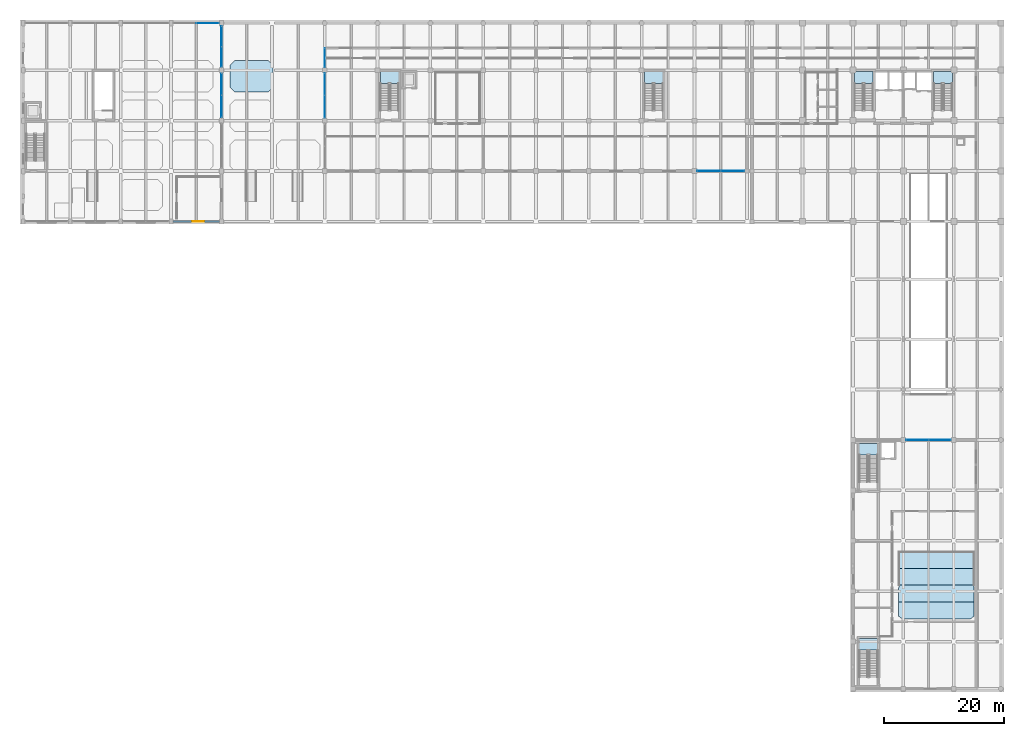
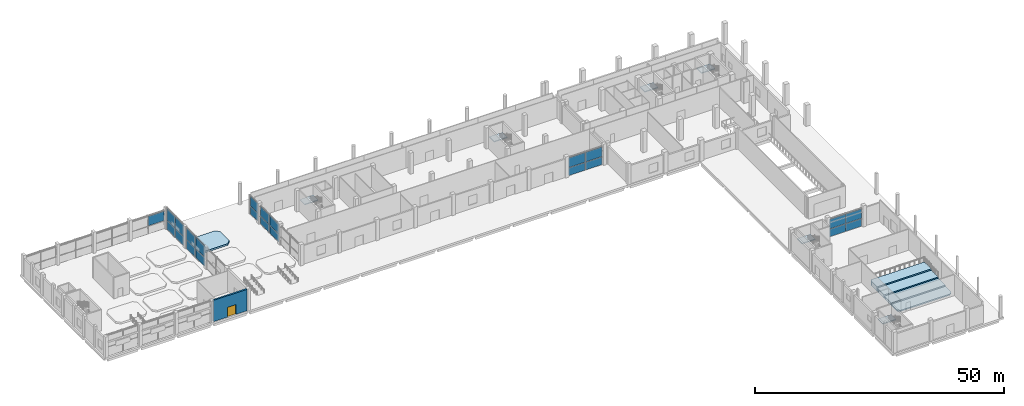
# One storey, part 19 of 34: 23 plates, 11 slabs, 1 door, 1 wall, 1 opening, 13 elements without a shape of their own.
"""IFC4 building model written with IfcOpenShell, lengths in metres."""

from ifc_helpers import new_model, si_unit, direction, frame, frame_2d, origin, origin_2d, place, context, subcontext, project, spatial, polyline, rectangle, outline, extrude, material, layer, layer_set, type_object, element, fill, aggregate, save


model = new_model("IFC4")

# Units and contexts
model_context = context("Model", 3, precision=1e-05, world=origin(), true_north=direction((0.0, 1.0)))
body_context = subcontext(model_context, "Body", "Model", "MODEL_VIEW")
ifc_project = project(units=[si_unit("LENGTHUNIT", "METRE"), si_unit("AREAUNIT", "SQUARE_METRE"), si_unit("VOLUMEUNIT", "CUBIC_METRE"), si_unit("PLANEANGLEUNIT", "RADIAN"), si_unit("MASSUNIT", "GRAM", prefix="KILO")], contexts=[model_context])

# Site, building, storey
site_placement = place(None, origin())
site = spatial("IfcSite", under=ifc_project, at=site_placement, CompositionType="ELEMENT")
building_placement = place(site_placement, origin())
building = spatial("IfcBuilding", under=site, at=building_placement, Name="Brinegate Botanical Conservatory", CompositionType="ELEMENT")
storey_placement = place(building_placement, origin())
storey = spatial("IfcBuildingStorey", under=building, at=storey_placement, Name="L01", CompositionType="ELEMENT", Elevation=0.0)

# Curtain wall, plates
ifc_material_1 = material(Name="Thermally broken anodised aluminium AW-6063-T6", Category="aluminium")
curtain_wall_type_1 = type_object("IfcCurtainWallType", Name="CW_CW-V2", PredefinedType="USERDEFINED", material=ifc_material_1)
curtain_wall_1_placement = place(storey_placement, origin())
curtain_wall_1 = element("IfcCurtainWall", 1, at=curtain_wall_1_placement, inside=storey, type_object=curtain_wall_type_1, Name="Auditorium north foyer curtain bay L01", ObjectType="FACTORY CURTAIN WALL", PredefinedType="USERDEFINED")
ifc_material_2 = material(Name="Double-silver Low-E laminated safety glass", Category="glass")
ifc_layer_1 = layer(ifc_material_2, 0.028076171875, Name="Double-silver Low-E laminated safety glass", Category="glass")
ifc_layer_set_1 = layer_set([ifc_layer_1], Name="Double-silver Low-E laminated safety glass")
plate_type_1 = type_object("IfcPlateType", Name="Plate_PN-28", PredefinedType="CURTAIN_PANEL", material=ifc_layer_set_1)
plate_1_placement = place(storey_placement, frame((149.534912109375, 42.0, 0.06005859375), z_axis=(0.0, 0.0, 1.0), x_axis=(1.0, 0.0, 0.0)))
plate_1 = element("IfcPlate", 2, at=plate_1_placement, type_object=plate_type_1, Name="CW-V2 panel 1.1", PredefinedType="CURTAIN_PANEL", context=body_context, shape_type="SweptSolid", body=[
    extrude(rectangle(XDim=3.669921875, YDim=0.028076171875, at=origin_2d()), origin(), (0.0, 0.0, 1.0), 1.903076171875),
])
plate_2_placement = place(storey_placement, frame((149.534912109375, 42.0, 2.02294921875), z_axis=(0.0, 0.0, 1.0), x_axis=(1.0, 0.0, 0.0)))
plate_2 = element("IfcPlate", 3, at=plate_2_placement, type_object=plate_type_1, Name="CW-V2 panel 1.2", PredefinedType="CURTAIN_PANEL", context=body_context, shape_type="SweptSolid", body=[
    extrude(rectangle(XDim=3.669921875, YDim=0.028076171875, at=origin_2d()), origin(), (0.0, 0.0, 1.0), 2.346923828125),
])
plate_3_placement = place(storey_placement, frame((153.264892578125, 42.0, 0.06005859375), z_axis=(0.0, 0.0, 1.0), x_axis=(1.0, 0.0, 0.0)))
plate_3 = element("IfcPlate", 4, at=plate_3_placement, type_object=plate_type_1, Name="CW-V2 panel 2.1", PredefinedType="CURTAIN_PANEL", context=body_context, shape_type="SweptSolid", body=[
    extrude(rectangle(XDim=3.669921875, YDim=0.028076171875, at=origin_2d()), origin(), (0.0, 0.0, 1.0), 1.903076171875),
])
plate_4_placement = place(storey_placement, frame((153.264892578125, 42.0, 2.02294921875), z_axis=(0.0, 0.0, 1.0), x_axis=(1.0, 0.0, 0.0)))
plate_4 = element("IfcPlate", 5, at=plate_4_placement, type_object=plate_type_1, Name="CW-V2 panel 2.2", PredefinedType="CURTAIN_PANEL", context=body_context, shape_type="SweptSolid", body=[
    extrude(rectangle(XDim=3.669921875, YDim=0.028076171875, at=origin_2d()), origin(), (0.0, 0.0, 1.0), 2.346923828125),
])
aggregate(curtain_wall_1, [plate_1, plate_2, plate_3, plate_4])

curtain_wall_type_2 = type_object("IfcCurtainWallType", Name="CW_CW-V3", PredefinedType="USERDEFINED", material=ifc_material_1)
curtain_wall_2_placement = place(storey_placement, origin())
curtain_wall_2 = element("IfcCurtainWall", 6, at=curtain_wall_2_placement, inside=storey, type_object=curtain_wall_type_2, Name="Visitor south court curtain wall L01.8", ObjectType="FACTORY CURTAIN WALL", PredefinedType="USERDEFINED")
plate_5_placement = place(storey_placement, frame((118.763671875, 86.800048828125, 0.06494140625), z_axis=(0.0, 0.0, 1.0), x_axis=(-1.0, 0.0, 0.0)))
plate_5 = element("IfcPlate", 7, at=plate_5_placement, type_object=plate_type_1, Name="CW-V3 panel 1.1", PredefinedType="CURTAIN_PANEL", context=body_context, shape_type="SweptSolid", body=[
    extrude(rectangle(XDim=3.862548828125, YDim=0.028076171875, at=origin_2d()), origin(), (0.0, 0.0, 1.0), 1.9404296875),
])
plate_6_placement = place(storey_placement, frame((118.763671875, 86.800048828125, 2.070556640625), z_axis=(0.0, 0.0, 1.0), x_axis=(-1.0, 0.0, 0.0)))
plate_6 = element("IfcPlate", 8, at=plate_6_placement, type_object=plate_type_1, Name="CW-V3 panel 1.2", PredefinedType="CURTAIN_PANEL", context=body_context, shape_type="SweptSolid", body=[
    extrude(rectangle(XDim=3.862548828125, YDim=0.028076171875, at=origin_2d()), origin(), (0.0, 0.0, 1.0), 2.39453125),
])
plate_7_placement = place(storey_placement, frame((114.836181640625, 86.800048828125, 0.06494140625), z_axis=(0.0, 0.0, 1.0), x_axis=(-1.0, 0.0, 0.0)))
plate_7 = element("IfcPlate", 9, at=plate_7_placement, type_object=plate_type_1, Name="CW-V3 panel 2.1", PredefinedType="CURTAIN_PANEL", context=body_context, shape_type="SweptSolid", body=[
    extrude(rectangle(XDim=3.862548828125, YDim=0.028076171875, at=origin_2d()), origin(), (0.0, 0.0, 1.0), 1.9404296875),
])
plate_8_placement = place(storey_placement, frame((114.836181640625, 86.800048828125, 2.070556640625), z_axis=(0.0, 0.0, 1.0), x_axis=(-1.0, 0.0, 0.0)))
plate_8 = element("IfcPlate", 10, at=plate_8_placement, type_object=plate_type_1, Name="CW-V3 panel 2.2", PredefinedType="CURTAIN_PANEL", context=body_context, shape_type="SweptSolid", body=[
    extrude(rectangle(XDim=3.862548828125, YDim=0.028076171875, at=origin_2d()), origin(), (0.0, 0.0, 1.0), 2.39453125),
])
aggregate(curtain_wall_2, [plate_5, plate_6, plate_7, plate_8])

curtain_wall_3_placement = place(storey_placement, origin())
curtain_wall_3 = element("IfcCurtainWall", 11, at=curtain_wall_3_placement, inside=storey, type_object=curtain_wall_type_2, Name="Visitor west forecourt curtain wall L01.2", ObjectType="FACTORY CURTAIN WALL", PredefinedType="USERDEFINED")
plate_9_placement = place(storey_placement, frame((50.800048828125, 97.5361328125, 0.06494140625), z_axis=(0.0, 0.0, 1.0), x_axis=(0.0, 1.0, 0.0)))
plate_9 = element("IfcPlate", 12, at=plate_9_placement, type_object=plate_type_1, Name="CW-V3 panel 1.1", PredefinedType="CURTAIN_PANEL", context=body_context, shape_type="SweptSolid", body=[
    extrude(rectangle(XDim=3.66259765625, YDim=0.028076171875, at=origin_2d()), origin(), (0.0, 0.0, 1.0), 1.9404296875),
])
plate_10_placement = place(storey_placement, frame((50.800048828125, 97.5361328125, 2.070556640625), z_axis=(0.0, 0.0, 1.0), x_axis=(0.0, 1.0, 0.0)))
plate_10 = element("IfcPlate", 13, at=plate_10_placement, type_object=plate_type_1, Name="CW-V3 panel 1.2", PredefinedType="CURTAIN_PANEL", context=body_context, shape_type="SweptSolid", body=[
    extrude(rectangle(XDim=3.66259765625, YDim=0.028076171875, at=origin_2d()), origin(), (0.0, 0.0, 1.0), 2.39453125),
])
plate_11_placement = place(storey_placement, frame((50.800048828125, 101.263671875, 0.06494140625), z_axis=(0.0, 0.0, 1.0), x_axis=(0.0, 1.0, 0.0)))
plate_11 = element("IfcPlate", 14, at=plate_11_placement, type_object=plate_type_1, Name="CW-V3 panel 2.1", PredefinedType="CURTAIN_PANEL", context=body_context, shape_type="SweptSolid", body=[
    extrude(rectangle(XDim=3.66259765625, YDim=0.028076171875, at=origin_2d()), origin(), (0.0, 0.0, 1.0), 1.9404296875),
])
plate_12_placement = place(storey_placement, frame((50.800048828125, 101.263671875, 2.070556640625), z_axis=(0.0, 0.0, 1.0), x_axis=(0.0, 1.0, 0.0)))
plate_12 = element("IfcPlate", 15, at=plate_12_placement, type_object=plate_type_1, Name="CW-V3 panel 2.2", PredefinedType="CURTAIN_PANEL", context=body_context, shape_type="SweptSolid", body=[
    extrude(rectangle(XDim=3.66259765625, YDim=0.028076171875, at=origin_2d()), origin(), (0.0, 0.0, 1.0), 2.39453125),
])
aggregate(curtain_wall_3, [plate_9, plate_10, plate_11, plate_12])

curtain_wall_4_placement = place(storey_placement, origin())
curtain_wall_4 = element("IfcCurtainWall", 16, at=curtain_wall_4_placement, inside=storey, type_object=curtain_wall_type_2, Name="Visitor west forecourt curtain wall L01.3", ObjectType="FACTORY CURTAIN WALL", PredefinedType="USERDEFINED")
plate_13_placement = place(storey_placement, frame((50.800048828125, 105.669921875, 0.06494140625), z_axis=(0.0, 0.0, 1.0), x_axis=(0.0, 1.0, 0.0)))
plate_13 = element("IfcPlate", 17, at=plate_13_placement, type_object=plate_type_1, Name="CW-V3 panel 1.1", PredefinedType="CURTAIN_PANEL", context=body_context, shape_type="SweptSolid", body=[
    extrude(rectangle(XDim=3.1298828125, YDim=0.028076171875, at=origin_2d()), origin(), (0.0, 0.0, 1.0), 1.9404296875),
])
plate_14_placement = place(storey_placement, frame((50.800048828125, 105.669921875, 2.070556640625), z_axis=(0.0, 0.0, 1.0), x_axis=(0.0, 1.0, 0.0)))
plate_14 = element("IfcPlate", 18, at=plate_14_placement, type_object=plate_type_1, Name="CW-V3 panel 1.2", PredefinedType="CURTAIN_PANEL", context=body_context, shape_type="SweptSolid", body=[
    extrude(rectangle(XDim=3.1298828125, YDim=0.028076171875, at=origin_2d()), origin(), (0.0, 0.0, 1.0), 2.39453125),
])
aggregate(curtain_wall_4, [plate_13, plate_14])

# Curtain wall, plate
curtain_wall_type_3 = type_object("IfcCurtainWallType", Name="CW_CW-V1", PredefinedType="USERDEFINED", material=ifc_material_1)
curtain_wall_5_placement = place(storey_placement, origin())
curtain_wall_5 = element("IfcCurtainWall", 19, at=curtain_wall_5_placement, inside=storey, type_object=curtain_wall_type_3, Name="Conservatory north curtain wall L01.4", ObjectType="FACTORY CURTAIN WALL", PredefinedType="USERDEFINED")
ifc_layer_2 = layer(ifc_material_2, 0.031982421875, Name="Double-silver Low-E laminated safety glass", Category="glass")
ifc_layer_set_2 = layer_set([ifc_layer_2], Name="Double-silver Low-E laminated safety glass")
plate_type_2 = type_object("IfcPlateType", Name="Plate_PN-32", PredefinedType="CURTAIN_PANEL", material=ifc_layer_set_2)
plate_15_placement = place(storey_placement, frame((31.313720703125, 111.449951171875, 2.025390625), z_axis=(0.0, 0.0, 1.0), x_axis=(1.0, 0.0, 0.0)))
plate_15 = element("IfcPlate", 20, at=plate_15_placement, type_object=plate_type_2, Name="CW-V1 panel 2.2", PredefinedType="CURTAIN_PANEL", context=body_context, shape_type="SweptSolid", body=[
    extrude(rectangle(XDim=3.762451171875, YDim=0.031982421875, at=origin_2d()), origin(), (0.0, 0.0, 1.0), 2.339599609375),
])
aggregate(curtain_wall_5, [plate_15])

# Curtain wall, plates
curtain_wall_6_placement = place(storey_placement, origin())
curtain_wall_6 = element("IfcCurtainWall", 21, at=curtain_wall_6_placement, inside=storey, type_object=curtain_wall_type_3, Name="Conservatory east curtain wall L01.3", ObjectType="FACTORY CURTAIN WALL", PredefinedType="USERDEFINED")
plate_16_placement = place(storey_placement, frame((33.60009765625, 101.23876953125, 0.06494140625), z_axis=(0.0, 0.0, 1.0), x_axis=(0.0, -1.0, 0.0)))
plate_16 = element("IfcPlate", 22, at=plate_16_placement, type_object=plate_type_2, Name="CW-V1 panel 1.1", PredefinedType="CURTAIN_PANEL", context=body_context, shape_type="SweptSolid", body=[
    extrude(rectangle(XDim=3.612548828125, YDim=0.031982421875, at=origin_2d()), origin(), (0.0, 0.0, 1.0), 2.260498046875),
])
plate_17_placement = place(storey_placement, frame((33.60009765625, 101.23876953125, 2.390625), z_axis=(0.0, 0.0, 1.0), x_axis=(0.0, -1.0, 0.0)))
plate_17 = element("IfcPlate", 23, at=plate_17_placement, type_object=plate_type_2, Name="CW-V1 panel 1.2", PredefinedType="CURTAIN_PANEL", context=body_context, shape_type="SweptSolid", body=[
    extrude(rectangle(XDim=3.612548828125, YDim=0.031982421875, at=origin_2d()), origin(), (0.0, 0.0, 1.0), 2.784423828125),
])
plate_18_placement = place(storey_placement, frame((33.60009765625, 97.561279296875, 0.06494140625), z_axis=(0.0, 0.0, 1.0), x_axis=(0.0, -1.0, 0.0)))
plate_18 = element("IfcPlate", 24, at=plate_18_placement, type_object=plate_type_2, Name="CW-V1 panel 2.1", PredefinedType="CURTAIN_PANEL", context=body_context, shape_type="SweptSolid", body=[
    extrude(rectangle(XDim=3.612548828125, YDim=0.031982421875, at=origin_2d()), origin(), (0.0, 0.0, 1.0), 2.260498046875),
])
plate_19_placement = place(storey_placement, frame((33.60009765625, 97.561279296875, 2.390625), z_axis=(0.0, 0.0, 1.0), x_axis=(0.0, -1.0, 0.0)))
plate_19 = element("IfcPlate", 25, at=plate_19_placement, type_object=plate_type_2, Name="CW-V1 panel 2.2", PredefinedType="CURTAIN_PANEL", context=body_context, shape_type="SweptSolid", body=[
    extrude(rectangle(XDim=3.612548828125, YDim=0.031982421875, at=origin_2d()), origin(), (0.0, 0.0, 1.0), 2.784423828125),
])
aggregate(curtain_wall_6, [plate_16, plate_17, plate_18, plate_19])

curtain_wall_7_placement = place(storey_placement, origin())
curtain_wall_7 = element("IfcCurtainWall", 26, at=curtain_wall_7_placement, inside=storey, type_object=curtain_wall_type_3, Name="Conservatory east curtain wall L01.4", ObjectType="FACTORY CURTAIN WALL", PredefinedType="USERDEFINED")
plate_20_placement = place(storey_placement, frame((33.60009765625, 109.226318359375, 0.06494140625), z_axis=(0.0, 0.0, 1.0), x_axis=(0.0, -1.0, 0.0)))
plate_20 = element("IfcPlate", 27, at=plate_20_placement, type_object=plate_type_2, Name="CW-V1 panel 1.1", PredefinedType="CURTAIN_PANEL", context=body_context, shape_type="SweptSolid", body=[
    extrude(rectangle(XDim=3.33740234375, YDim=0.031982421875, at=origin_2d()), origin(), (0.0, 0.0, 1.0), 2.260498046875),
])
plate_21_placement = place(storey_placement, frame((33.60009765625, 109.226318359375, 2.390625), z_axis=(0.0, 0.0, 1.0), x_axis=(0.0, -1.0, 0.0)))
plate_21 = element("IfcPlate", 28, at=plate_21_placement, type_object=plate_type_2, Name="CW-V1 panel 1.2", PredefinedType="CURTAIN_PANEL", context=body_context, shape_type="SweptSolid", body=[
    extrude(rectangle(XDim=3.33740234375, YDim=0.031982421875, at=origin_2d()), origin(), (0.0, 0.0, 1.0), 2.784423828125),
])
plate_22_placement = place(storey_placement, frame((33.60009765625, 105.82373046875, 0.06494140625), z_axis=(0.0, 0.0, 1.0), x_axis=(0.0, -1.0, 0.0)))
plate_22 = element("IfcPlate", 29, at=plate_22_placement, type_object=plate_type_2, Name="CW-V1 panel 2.1", PredefinedType="CURTAIN_PANEL", context=body_context, shape_type="SweptSolid", body=[
    extrude(rectangle(XDim=3.33740234375, YDim=0.031982421875, at=origin_2d()), origin(), (0.0, 0.0, 1.0), 2.260498046875),
])
plate_23_placement = place(storey_placement, frame((33.60009765625, 105.82373046875, 2.390625), z_axis=(0.0, 0.0, 1.0), x_axis=(0.0, -1.0, 0.0)))
plate_23 = element("IfcPlate", 30, at=plate_23_placement, type_object=plate_type_2, Name="CW-V1 panel 2.2", PredefinedType="CURTAIN_PANEL", context=body_context, shape_type="SweptSolid", body=[
    extrude(rectangle(XDim=3.33740234375, YDim=0.031982421875, at=origin_2d()), origin(), (0.0, 0.0, 1.0), 2.784423828125),
])
aggregate(curtain_wall_7, [plate_20, plate_21, plate_22, plate_23])

# Slab
ifc_material_3 = material(Name="Concrete C40/50", Category="concrete")
ifc_layer_3 = layer(ifc_material_3, 0.419921875, Name="Concrete C40/50", Category="concrete")
ifc_layer_set_3 = layer_set([ifc_layer_3], Name="Concrete C40/50")
slab_type_1 = type_object("IfcSlabType", Name="Slab_SL-BD420", PredefinedType="FLOOR", material=ifc_layer_set_3)
slab_1_placement = place(storey_placement, origin())
element("IfcSlab", 31, at=slab_1_placement, inside=storey, type_object=slab_type_1, Name="Conservatory subtropical planting bed slab 12", PredefinedType="FLOOR", context=body_context, shape_type="SweptSolid", body=[
    extrude(outline(polyline([(35.800048828125, 100.0), (41.39990234375, 100.0), (42.199951171875, 100.800048828125), (42.199951171875, 104.39990234375), (41.39990234375, 105.199951171875), (35.800048828125, 105.199951171875), (35.0, 104.39990234375), (35.0, 100.800048828125), (35.800048828125, 100.0)])), origin(), (0.0, 0.0, 1.0), 0.419921875),
])

# Stair, slab
stair_type = type_object("IfcStairType", Name="Stair_HT-5400", PredefinedType="HALF_TURN_STAIR", material=ifc_material_3)
stair_1_placement = place(storey_placement, origin())
stair_1 = element("IfcStair", 32, at=stair_1_placement, inside=storey, type_object=stair_type, Name="L01 Tower West Smoke-Proof Stair ST1", PredefinedType="HALF_TURN_STAIR")
ifc_layer_4 = layer(ifc_material_3, 0.199951171875, Name="Concrete C40/50", Category="concrete")
ifc_layer_set_4 = layer_set([ifc_layer_4], Name="Concrete C40/50")
slab_type_2 = type_object("IfcSlabType", Name="Slab_SL-LD200", PredefinedType="LANDING", material=ifc_layer_set_4)
slab_2_placement = place(storey_placement, frame((0.0, 0.0, 2.5)))
slab_2 = element("IfcSlab", 33, at=slab_2_placement, type_object=slab_type_2, Name="ST1 landing 1", PredefinedType="LANDING", context=body_context, shape_type="SweptSolid", body=[
    extrude(outline(polyline([(142.14990234375, 101.3798828125), (142.14990234375, 103.35009765625), (139.050048828125, 103.35009765625), (139.050048828125, 101.3798828125), (142.14990234375, 101.3798828125)])), origin(), (0.0, 0.0, 1.0), 0.199951171875),
])
aggregate(stair_1, [slab_2])

stair_2_placement = place(storey_placement, origin())
stair_2 = element("IfcStair", 34, at=stair_2_placement, inside=storey, type_object=stair_type, Name="L01 Tower East Smoke-Proof Stair ST2", PredefinedType="HALF_TURN_STAIR")
slab_3_placement = place(storey_placement, frame((0.0, 0.0, 2.5)))
slab_3 = element("IfcSlab", 35, at=slab_3_placement, type_object=slab_type_2, Name="ST2 landing 1", PredefinedType="LANDING", context=body_context, shape_type="SweptSolid", body=[
    extrude(outline(polyline([(155.35009765625, 101.3798828125), (155.35009765625, 103.35009765625), (152.25, 103.35009765625), (152.25, 101.3798828125), (155.35009765625, 101.3798828125)])), origin(), (0.0, 0.0, 1.0), 0.199951171875),
])
aggregate(stair_2, [slab_3])

stair_3_placement = place(storey_placement, origin())
stair_3 = element("IfcStair", 36, at=stair_3_placement, inside=storey, type_object=stair_type, Name="L01 Visitor Wing West Smoke-Proof Stair ST3", PredefinedType="HALF_TURN_STAIR")
slab_4_placement = place(storey_placement, frame((0.0, 0.0, 2.5)))
slab_4 = element("IfcSlab", 37, at=slab_4_placement, type_object=slab_type_2, Name="ST3 landing 1", PredefinedType="LANDING", context=body_context, shape_type="SweptSolid", body=[
    extrude(outline(polyline([(63.14990234375, 101.3798828125), (63.14990234375, 103.35009765625), (60.050048828125, 103.35009765625), (60.050048828125, 101.3798828125), (63.14990234375, 101.3798828125)])), origin(), (0.0, 0.0, 1.0), 0.199951171875),
])
aggregate(stair_3, [slab_4])

stair_4_placement = place(storey_placement, origin())
stair_4 = element("IfcStair", 38, at=stair_4_placement, inside=storey, type_object=stair_type, Name="L01 Visitor Wing East Smoke-Proof Stair ST4", PredefinedType="HALF_TURN_STAIR")
slab_5_placement = place(storey_placement, frame((0.0, 0.0, 2.5)))
slab_5 = element("IfcSlab", 39, at=slab_5_placement, type_object=slab_type_2, Name="ST4 landing 1", PredefinedType="LANDING", context=body_context, shape_type="SweptSolid", body=[
    extrude(outline(polyline([(107.14990234375, 101.3798828125), (107.14990234375, 103.35009765625), (104.050048828125, 103.35009765625), (104.050048828125, 101.3798828125), (107.14990234375, 101.3798828125)])), origin(), (0.0, 0.0, 1.0), 0.199951171875),
])
aggregate(stair_4, [slab_5])

stair_5_placement = place(storey_placement, origin())
stair_5 = element("IfcStair", 40, at=stair_5_placement, inside=storey, type_object=stair_type, Name="L01 Auditorium North Vomitory Stair ST5", PredefinedType="HALF_TURN_STAIR")
slab_6_placement = place(storey_placement, frame((0.0, 0.0, 2.5)))
slab_6 = element("IfcSlab", 41, at=slab_6_placement, type_object=slab_type_2, Name="ST5 landing 1", PredefinedType="LANDING", context=body_context, shape_type="SweptSolid", body=[
    extrude(outline(polyline([(142.949951171875, 39.47998046875), (142.949951171875, 41.449951171875), (139.85009765625, 41.449951171875), (139.85009765625, 39.47998046875), (142.949951171875, 39.47998046875)])), origin(), (0.0, 0.0, 1.0), 0.199951171875),
])
aggregate(stair_5, [slab_6])

stair_6_placement = place(storey_placement, origin())
stair_6 = element("IfcStair", 42, at=stair_6_placement, inside=storey, type_object=stair_type, Name="L01 Auditorium South Vomitory Stair ST6", PredefinedType="HALF_TURN_STAIR")
slab_7_placement = place(storey_placement, frame((0.0, 0.0, 2.5)))
slab_7 = element("IfcSlab", 43, at=slab_7_placement, type_object=slab_type_2, Name="ST6 landing 1", PredefinedType="LANDING", context=body_context, shape_type="SweptSolid", body=[
    extrude(outline(polyline([(142.949951171875, 6.97998046875), (142.949951171875, 8.949951171875), (139.85009765625, 8.949951171875), (139.85009765625, 6.97998046875), (142.949951171875, 6.97998046875)])), origin(), (0.0, 0.0, 1.0), 0.199951171875),
])
aggregate(stair_6, [slab_7])

# Slabs
ifc_layer_5 = layer(ifc_material_3, 1.1298828125, Name="Concrete C40/50", Category="concrete")
ifc_layer_set_5 = layer_set([ifc_layer_5], Name="Concrete C40/50")
slab_type_3 = type_object("IfcSlabType", Name="Slab_SL-ST1130", PredefinedType="USERDEFINED", material=ifc_layer_set_5)
slab_8_placement = place(storey_placement, origin())
element("IfcSlab", 44, at=slab_8_placement, inside=storey, type_object=slab_type_3, Name="Auditorium lower seating tier 4", ObjectType="SEATING TIER", PredefinedType="USERDEFINED", context=body_context, shape_type="SweptSolid", body=[
    extrude(outline(polyline([(146.39990234375, 20.60009765625), (159.0, 20.60009765625), (159.0, 22.949951171875), (158.85009765625, 23.39990234375), (146.550048828125, 23.39990234375), (146.39990234375, 22.949951171875), (146.39990234375, 20.60009765625)])), origin(), (0.0, 0.0, 1.0), 1.199951171875),
])
ifc_layer_6 = layer(ifc_material_3, 0.22998046875, Name="Concrete C40/50", Category="concrete")
ifc_layer_set_6 = layer_set([ifc_layer_6], Name="Concrete C40/50")
slab_type_4 = type_object("IfcSlabType", Name="Slab_SL-ST230", PredefinedType="USERDEFINED", material=ifc_layer_set_6)
slab_9_placement = place(storey_placement, origin())
element("IfcSlab", 45, at=slab_9_placement, inside=storey, type_object=slab_type_4, Name="Auditorium lower seating tier 1", ObjectType="SEATING TIER", PredefinedType="USERDEFINED", context=body_context, shape_type="SweptSolid", body=[
    extrude(outline(polyline([(147.0, 12.199951171875), (158.39990234375, 12.199951171875), (159.0, 12.64990234375), (159.0, 15.0), (146.39990234375, 15.0), (146.39990234375, 12.64990234375), (147.0, 12.199951171875)])), origin(), (0.0, 0.0, 1.0), 0.300048828125),
])
ifc_layer_7 = layer(ifc_material_3, 0.530029296875, Name="Concrete C40/50", Category="concrete")
ifc_layer_set_7 = layer_set([ifc_layer_7], Name="Concrete C40/50")
slab_type_5 = type_object("IfcSlabType", Name="Slab_SL-ST530", PredefinedType="USERDEFINED", material=ifc_layer_set_7)
slab_10_placement = place(storey_placement, origin())
element("IfcSlab", 46, at=slab_10_placement, inside=storey, type_object=slab_type_5, Name="Auditorium lower seating tier 2", ObjectType="SEATING TIER", PredefinedType="USERDEFINED", context=body_context, shape_type="SweptSolid", body=[
    extrude(outline(polyline([(146.39990234375, 15.0), (159.0, 15.0), (159.0, 17.35009765625), (158.85009765625, 17.800048828125), (146.550048828125, 17.800048828125), (146.39990234375, 17.35009765625), (146.39990234375, 15.0)])), origin(), (0.0, 0.0, 1.0), 0.60009765625),
])
ifc_layer_8 = layer(ifc_material_3, 0.830078125, Name="Concrete C40/50", Category="concrete")
ifc_layer_set_8 = layer_set([ifc_layer_8], Name="Concrete C40/50")
slab_type_6 = type_object("IfcSlabType", Name="Slab_SL-ST830", PredefinedType="USERDEFINED", material=ifc_layer_set_8)
slab_11_placement = place(storey_placement, origin())
element("IfcSlab", 47, at=slab_11_placement, inside=storey, type_object=slab_type_6, Name="Auditorium lower seating tier 3", ObjectType="SEATING TIER", PredefinedType="USERDEFINED", context=body_context, shape_type="SweptSolid", body=[
    extrude(outline(polyline([(146.39990234375, 17.800048828125), (159.0, 17.800048828125), (159.0, 20.14990234375), (158.85009765625, 20.60009765625), (146.550048828125, 20.60009765625), (146.39990234375, 20.14990234375), (146.39990234375, 17.800048828125)])), origin(), (0.0, 0.0, 1.0), 0.89990234375),
])

# Wall, opening, door
ifc_material_4 = material(Name="Fujian grey granite ashlar masonry", Category="masonry")
ifc_layer_9 = layer(ifc_material_4, 0.3798828125, Name="Fujian grey granite ashlar masonry", Category="masonry")
ifc_layer_set_9 = layer_set([ifc_layer_9], Name="Fujian grey granite ashlar masonry")
wall_type = type_object("IfcWallType", Name="Wall_EW-380G", PredefinedType="SOLIDWALL", material=ifc_layer_set_9)
wall_placement = place(storey_placement, frame((33.300048828125, 78.39990234375, 0.0), z_axis=(0.0, 0.0, 1.0), x_axis=(-1.0, 0.0, 0.0)))
wall = element("IfcWall", 48, at=wall_placement, inside=storey, type_object=wall_type, Name="Conservatory south granite entrance wall", PredefinedType="SOLIDWALL", context=body_context, shape_type="SweptSolid", body=[
    extrude(rectangle(XDim=7.800048828125, YDim=0.3798828125, at=frame_2d((3.89990234375, 0.0))), origin(), (0.0, 0.0, 1.0), 5.239990234375),
])
opening_placement = place(wall_placement, frame((2.60009765625, 0.0, 0.0)))
opening = element("IfcOpeningElement", 49, at=opening_placement, cuts=wall, Name="Opening EX-01", PredefinedType="OPENING", context=body_context, shape_type="SweptSolid", body=[
    extrude(rectangle(XDim=2.0, YDim=2.39990234375, at=frame_2d((1.0, 1.199951171875))), frame((0.0, 0.199951171875, 0.0), z_axis=(0.0, -1.0, 0.0), x_axis=(1.0, 0.0, 0.0)), (0.0, 0.0, 1.0), 0.39990234375),
])
ifc_material_5 = material(Name="Anodised aluminium and laminated safety glass", Category="aluminium")
door_type = type_object("IfcDoorType", Name="Door_EX-01", OperationType="NOTDEFINED", PredefinedType="DOOR", material=ifc_material_5)
door_placement = place(opening_placement, origin())
door = element("IfcDoor", 50, at=door_placement, inside=storey, type_object=door_type, Name="DR-V1-ENT-S", OperationType="SINGLE_SWING_LEFT", OverallHeight=2.39990234375, OverallWidth=2.0, PredefinedType="DOOR", context=body_context, shape_type="SweptSolid", body=[
    extrude(rectangle(XDim=2.0, YDim=2.39990234375, at=frame_2d((1.0, 1.199951171875))), frame((0.0, 0.02490234375, 0.0), z_axis=(0.0, -1.0, 0.0), x_axis=(1.0, 0.0, 0.0)), (0.0, 0.0, 1.0), 0.050048828125),
])
fill(opening, door)

save(model, "model.ifc")
